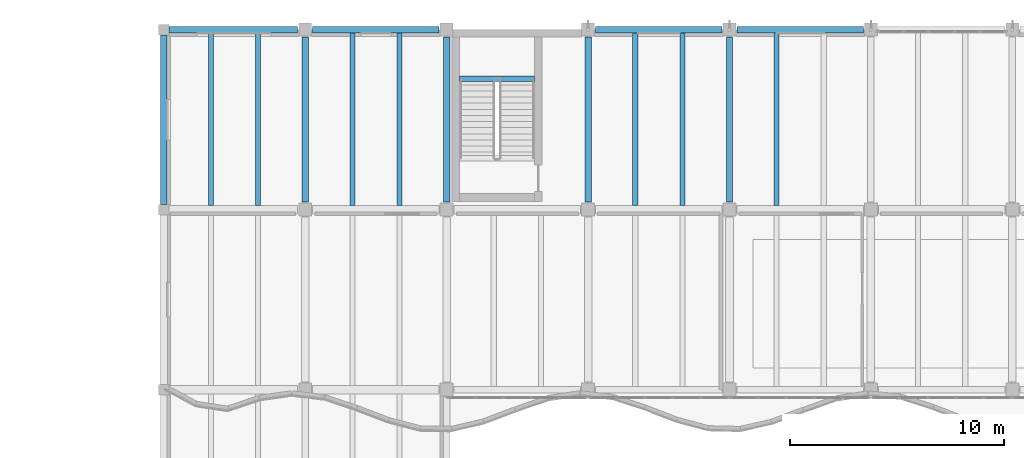
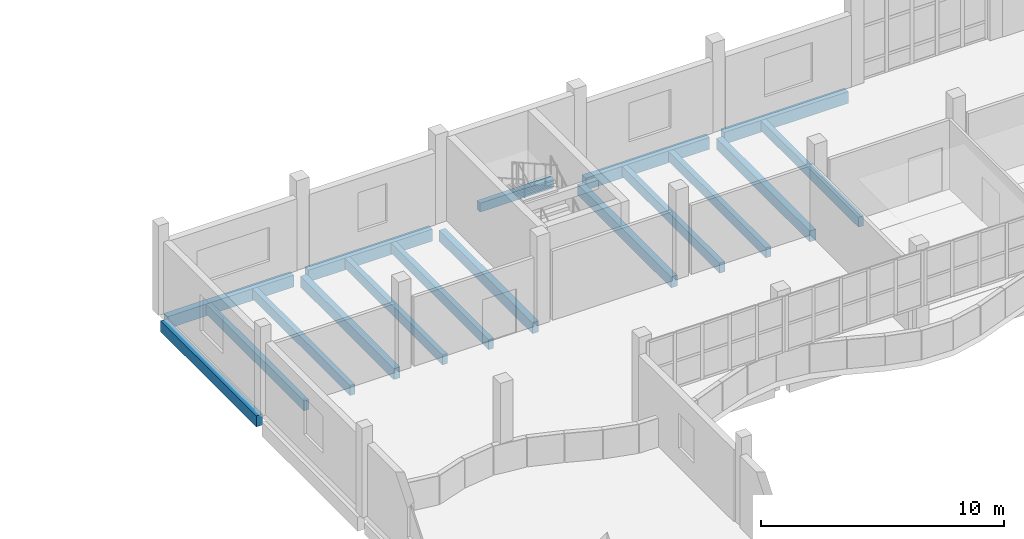
# One storey, part 10 of 76: 17 beams.
"""IFC4 building model written with IfcOpenShell, lengths in metres."""

from ifc_helpers import new_model, si_unit, direction, frame, origin, origin_2d, place, context, subcontext, project, spatial, rectangle, extrude, material, material_profile, profile_set, type_object, element, save


model = new_model("IFC4")

# Units and contexts
model_context = context("Model", 3, precision=1e-05, world=origin(), true_north=direction((0.0, 1.0)))
body_context = subcontext(model_context, "Body", "Model", "MODEL_VIEW")
ifc_project = project(units=[si_unit("LENGTHUNIT", "METRE"), si_unit("AREAUNIT", "SQUARE_METRE"), si_unit("VOLUMEUNIT", "CUBIC_METRE"), si_unit("PLANEANGLEUNIT", "RADIAN"), si_unit("MASSUNIT", "GRAM", prefix="KILO")], contexts=[model_context])

# Site, building, storey
site_placement = place(None, origin())
site = spatial("IfcSite", under=ifc_project, at=site_placement, CompositionType="ELEMENT")
building_placement = place(site_placement, origin())
building = spatial("IfcBuilding", under=site, at=building_placement, Name="Qaldarim Faculty of Natural and Applied Sciences", CompositionType="ELEMENT")
storey_placement = place(building_placement, frame((0.0, 0.0, 9.89990234375)))
storey = spatial("IfcBuildingStorey", under=building, at=storey_placement, Name="L02", CompositionType="ELEMENT", Elevation=9.89990234375)

# Beams
ifc_material_1 = material(Name="Concrete C40/50", Category="concrete")
ifc_material_profile_1 = material_profile(ifc_material_1, rectangle(XDim=0.300048828125, YDim=0.550048828125, at=origin_2d()), Name="RC-B300x550")
ifc_profile_set_1 = profile_set([ifc_material_profile_1], Name="Concrete C40/50")
beam_type_1 = type_object("IfcBeamType", Name="FloorBeam-RC300x550", PredefinedType="BEAM", material=ifc_profile_set_1)
beam_1_placement = place(storey_placement, frame((33.0, 109.449951171875, -0.574951171875), z_axis=(0.0, 1.0, 0.0), x_axis=(-1.0, 0.0, 0.0)))
element("IfcBeam", 1, at=beam_1_placement, inside=storey, type_object=beam_type_1, Name="Beam RC-B300x550 L01 X06/Y14-Y15", PredefinedType="BEAM", context=body_context, shape_type="SweptSolid", body=[
    extrude(rectangle(XDim=0.300048828125, YDim=0.550048828125, at=origin_2d()), origin(), (0.0, 0.0, 1.0), 7.900146484375),
])
for number, where, z_axis, x_axis, name in (
    (2, (39.60009765625, 109.550048828125, -0.574951171875), (0.0, 1.0, 0.0), (-1.0, 0.0, 0.0), "Beam RC-B300x550 L01 X07/Y14-Y15"),
    (3, (46.199951171875, 109.550048828125, -0.574951171875), (0.0, 1.0, 0.0), (-1.0, 0.0, 0.0), "Beam RC-B300x550 L01 X08/Y14-Y15"),
    (4, (52.800048828125, 109.550048828125, -0.574951171875), (0.0, 1.0, 0.0), (-1.0, 0.0, 0.0), "Beam RC-B300x550 L01 X09/Y14-Y15"),
    (5, (59.39990234375, 109.550048828125, -0.574951171875), (0.0, 1.0, 0.0), (-1.0, 0.0, 0.0), "Beam RC-B300x550 L01 X10/Y14-Y15"),
):
    element("IfcBeam", number, at=place(storey_placement, frame(where, z_axis=z_axis, x_axis=x_axis)), inside=storey, type_object=beam_type_1, Name=name, PredefinedType="BEAM", context=body_context, shape_type="SweptSolid", body=[
        extrude(rectangle(XDim=0.300048828125, YDim=0.550048828125, at=origin_2d()), origin(), (0.0, 0.0, 1.0), 7.699951171875),
    ])
ifc_material_profile_2 = material_profile(ifc_material_1, rectangle(XDim=0.239990234375, YDim=0.5, at=origin_2d()), Name="RC-J240x500")
ifc_profile_set_2 = profile_set([ifc_material_profile_2], Name="Concrete C40/50")
beam_type_2 = type_object("IfcBeamType", Name="HeavyJoist-RC240x500", PredefinedType="JOIST", material=ifc_profile_set_2)
for number, where, z_axis, x_axis, name in (
    (6, (35.199951171875, 109.39990234375, -0.5498046875), (0.0, 1.0, 0.0), (-1.0, 0.0, 0.0), "Laboratory joist L01 bay X06Y14-1"),
    (7, (37.39990234375, 109.39990234375, -0.5498046875), (0.0, 1.0, 0.0), (-1.0, 0.0, 0.0), "Laboratory joist L01 bay X06Y14-2"),
    (8, (41.800048828125, 109.39990234375, -0.5498046875), (0.0, 1.0, 0.0), (-1.0, 0.0, 0.0), "Laboratory joist L01 bay X07Y14-1"),
    (9, (44.0, 109.39990234375, -0.5498046875), (0.0, 1.0, 0.0), (-1.0, 0.0, 0.0), "Laboratory joist L01 bay X07Y14-2"),
    (10, (55.0, 109.39990234375, -0.5498046875), (0.0, 1.0, 0.0), (-1.0, 0.0, 0.0), "Laboratory joist L01 bay X09Y14-1"),
    (11, (57.199951171875, 109.39990234375, -0.5498046875), (0.0, 1.0, 0.0), (-1.0, 0.0, 0.0), "Laboratory joist L01 bay X09Y14-2"),
    (12, (61.60009765625, 109.39990234375, -0.5498046875), (0.0, 1.0, 0.0), (-1.0, 0.0, 0.0), "Laboratory joist L01 bay X10Y14-1"),
):
    element("IfcBeam", number, at=place(storey_placement, frame(where, z_axis=z_axis, x_axis=x_axis)), inside=storey, type_object=beam_type_2, Name=name, PredefinedType="JOIST", context=body_context, shape_type="SweptSolid", body=[
        extrude(rectangle(XDim=0.239990234375, YDim=0.5, at=origin_2d()), origin(), (0.0, 0.0, 1.0), 8.050048828125),
    ])
ifc_material_profile_3 = material_profile(ifc_material_1, rectangle(XDim=0.25, YDim=0.449951171875, at=origin_2d()), Name="RC-LN250x450")
ifc_profile_set_3 = profile_set([ifc_material_profile_3], Name="Concrete C40/50")
beam_type_3 = type_object("IfcBeamType", Name="LandingSupportBeam-RC250x450", PredefinedType="BEAM", material=ifc_profile_set_3)
beam_2_placement = place(storey_placement, frame((46.800048828125, 115.304931640625, 1.815185546875), z_axis=(1.0, 0.0, 0.0), x_axis=(0.0, 1.0, 0.0)))
element("IfcBeam", 13, at=beam_2_placement, inside=storey, type_object=beam_type_3, Name="Stair landing support beam ST-B2 L02", PredefinedType="BEAM", context=body_context, shape_type="SweptSolid", body=[
    extrude(rectangle(XDim=0.25, YDim=0.449951171875, at=origin_2d()), origin(), (0.0, 0.0, 1.0), 3.5),
])
ifc_material_2 = material(Name="Precast concrete C40/50", Category="concrete")
ifc_material_profile_4 = material_profile(ifc_material_2, rectangle(XDim=0.300048828125, YDim=0.60009765625, at=origin_2d()), Name="RC-SP300x600")
ifc_profile_set_4 = profile_set([ifc_material_profile_4], Name="Precast concrete C40/50")
beam_type_4 = type_object("IfcBeamType", Name="SpandrelBeam-RC300x600", PredefinedType="SPANDREL", material=ifc_profile_set_4)
beam_3_placement = place(storey_placement, frame((33.25, 117.60009765625, -0.599853515625), z_axis=(1.0, 0.0, 0.0), x_axis=(0.0, 1.0, 0.0)))
element("IfcBeam", 14, at=beam_3_placement, inside=storey, type_object=beam_type_4, Name="Beam RC-SP300x600 L01 X06-X07/Y15", PredefinedType="SPANDREL", context=body_context, shape_type="SweptSolid", body=[
    extrude(rectangle(XDim=0.300048828125, YDim=0.60009765625, at=origin_2d()), origin(), (0.0, 0.0, 1.0), 6.0),
])
for number, where, z_axis, x_axis, name in (
    (15, (39.949951171875, 117.60009765625, -0.599853515625), (1.0, 0.0, 0.0), (0.0, 1.0, 0.0), "Beam RC-SP300x600 L01 X07-X08/Y15"),
    (16, (53.14990234375, 117.60009765625, -0.599853515625), (1.0, 0.0, 0.0), (0.0, 1.0, 0.0), "Beam RC-SP300x600 L01 X09-X10/Y15"),
):
    element("IfcBeam", number, at=place(storey_placement, frame(where, z_axis=z_axis, x_axis=x_axis)), inside=storey, type_object=beam_type_4, Name=name, PredefinedType="SPANDREL", context=body_context, shape_type="SweptSolid", body=[
        extrude(rectangle(XDim=0.300048828125, YDim=0.60009765625, at=origin_2d()), origin(), (0.0, 0.0, 1.0), 5.900146484375),
    ])
beam_4_placement = place(storey_placement, frame((59.75, 117.60009765625, -0.599853515625), z_axis=(1.0, 0.0, 0.0), x_axis=(0.0, 1.0, 0.0)))
element("IfcBeam", 17, at=beam_4_placement, inside=storey, type_object=beam_type_4, Name="Beam RC-SP300x600 L01 X10-X11/Y15", PredefinedType="SPANDREL", context=body_context, shape_type="SweptSolid", body=[
    extrude(rectangle(XDim=0.300048828125, YDim=0.60009765625, at=origin_2d()), origin(), (0.0, 0.0, 1.0), 5.89990234375),
])

save(model, "model.ifc")
